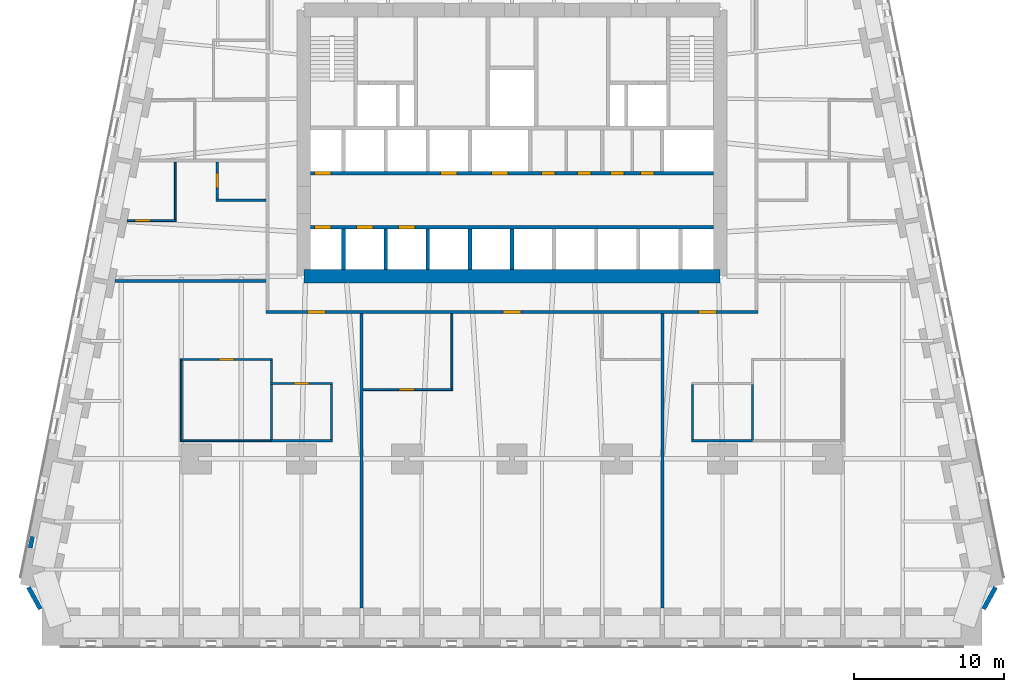
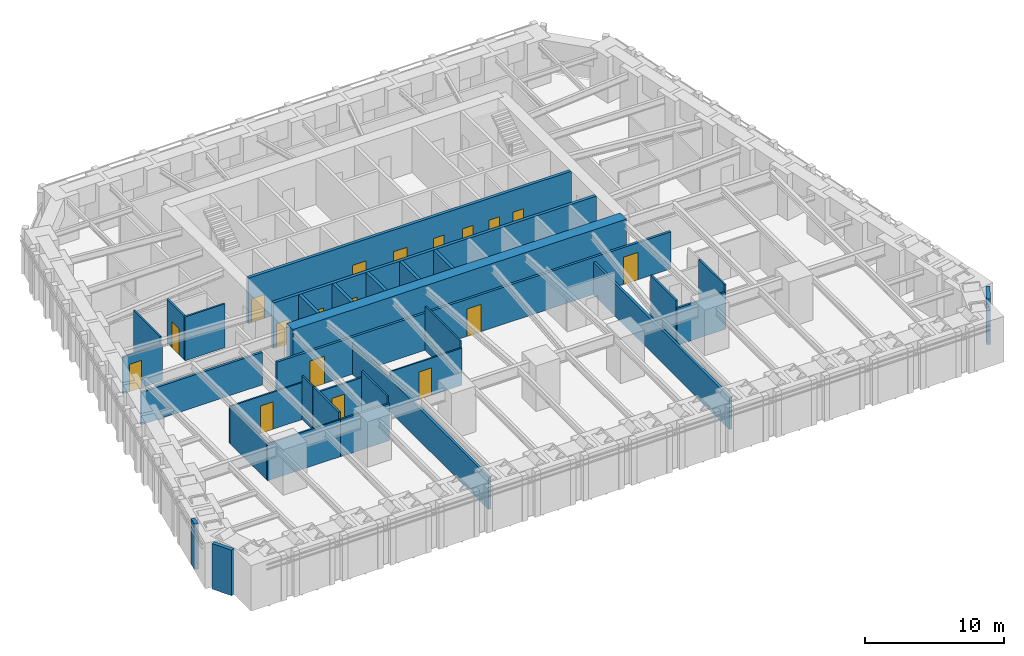
# One storey, part 12 of 16: 32 walls, 18 doors, 18 openings.
"""IFC4 building model written with IfcOpenShell, lengths in metres."""

from ifc_helpers import new_model, si_unit, direction, frame, frame_2d, origin, place, context, subcontext, project, spatial, rectangle, extrude, material, layer, layer_set, type_object, element, fill, save


model = new_model("IFC4")

# Units and contexts
model_context = context("Model", 3, precision=1e-05, world=origin(), true_north=direction((0.0, 1.0)))
body_context = subcontext(model_context, "Body", "Model", "MODEL_VIEW")
ifc_project = project(units=[si_unit("LENGTHUNIT", "METRE"), si_unit("AREAUNIT", "SQUARE_METRE"), si_unit("VOLUMEUNIT", "CUBIC_METRE"), si_unit("PLANEANGLEUNIT", "RADIAN"), si_unit("MASSUNIT", "GRAM", prefix="KILO")], contexts=[model_context])

# Site, building, storey
site_placement = place(None, origin())
site = spatial("IfcSite", under=ifc_project, at=site_placement, CompositionType="ELEMENT")
building_placement = place(site_placement, origin())
building = spatial("IfcBuilding", under=site, at=building_placement, Name="Isbrekke Arena Tower", CompositionType="ELEMENT")
storey_placement = place(building_placement, frame((0.0, 0.0, 44.0)))
storey = spatial("IfcBuildingStorey", under=building, at=storey_placement, Name="L08", CompositionType="ELEMENT", Elevation=44.0)

# Wall
ifc_material_1 = material(Name="Concrete B65 (C65/80)", Category="concrete")
ifc_layer_1 = layer(ifc_material_1, 0.89990234375)
ifc_layer_set_1 = layer_set([ifc_layer_1], Name="CW2 CORE WALL 900")
wall_type_1 = type_object("IfcWallType", Name="CW2 CORE WALL 900", PredefinedType="SHEAR", material=ifc_layer_set_1)
wall_1_placement = place(storey_placement, frame((-13.85009765625, 6.14990234375, 0.0), z_axis=(0.0, 0.0, 1.0), x_axis=(1.0, 0.0, 0.0)))
element("IfcWall", 1, at=wall_1_placement, inside=storey, type_object=wall_type_1, Name="Core wall S L08", PredefinedType="SHEAR", context=body_context, shape_type="SweptSolid", body=[
    extrude(rectangle(XDim=27.7001953125, YDim=0.89990234375, at=frame_2d((13.85009765625, 0.0))), origin(), (0.0, 0.0, 1.0), 4.0),
])

# Wall, openings, doors
ifc_material_2 = material(Name="Concrete B45 (C45/55)", Category="concrete")
ifc_layer_2 = layer(ifc_material_2, 0.25)
ifc_layer_set_2 = layer_set([ifc_layer_2], Name="CW6 SHAFT WALL 250")
wall_type_2 = type_object("IfcWallType", Name="CW6 SHAFT WALL 250", PredefinedType="SHEAR", material=ifc_layer_set_2)
wall_2_placement = place(storey_placement, frame((-13.39990234375, 9.39990234375, 0.0), z_axis=(0.0, 0.0, 1.0), x_axis=(1.0, 0.0, 0.0)))
wall_2 = element("IfcWall", 2, at=wall_2_placement, inside=storey, type_object=wall_type_2, Name="Core wall LS L08", PredefinedType="SHEAR", context=body_context, shape_type="SweptSolid", body=[
    extrude(rectangle(XDim=26.7998046875, YDim=0.25, at=frame_2d((13.39990234375, 0.0))), origin(), (0.0, 0.0, 1.0), 4.0),
])
opening_1_placement = place(wall_2_placement, frame((0.25, 0.0, 0.0)))
opening_1 = element("IfcOpeningElement", 3, at=opening_1_placement, cuts=wall_2, Name="Opening LD1", PredefinedType="OPENING", context=body_context, shape_type="SweptSolid", body=[
    extrude(rectangle(XDim=1.10009765625, YDim=2.10009765625, at=frame_2d((0.550048828125, 1.050048828125))), frame((0.0, 0.139892578125, 0.0), z_axis=(0.0, -1.0, 0.0), x_axis=(1.0, 0.0, 0.0)), (0.0, 0.0, 1.0), 0.27978515625),
])
opening_2_placement = place(wall_2_placement, frame((3.050048828125, 0.0, 0.0)))
opening_2 = element("IfcOpeningElement", 4, at=opening_2_placement, cuts=wall_2, Name="Opening LD1", PredefinedType="OPENING", context=body_context, shape_type="SweptSolid", body=[
    extrude(rectangle(XDim=1.10009765625, YDim=2.10009765625, at=frame_2d((0.550048828125, 1.050048828125))), frame((0.0, 0.139892578125, 0.0), z_axis=(0.0, -1.0, 0.0), x_axis=(1.0, 0.0, 0.0)), (0.0, 0.0, 1.0), 0.27978515625),
])
opening_3_placement = place(wall_2_placement, frame((5.85009765625, 0.0, 0.0)))
opening_3 = element("IfcOpeningElement", 5, at=opening_3_placement, cuts=wall_2, Name="Opening LD1", PredefinedType="OPENING", context=body_context, shape_type="SweptSolid", body=[
    extrude(rectangle(XDim=1.10009765625, YDim=2.10009765625, at=frame_2d((0.550048828125, 1.050048828125))), frame((0.0, 0.139892578125, 0.0), z_axis=(0.0, -1.0, 0.0), x_axis=(1.0, 0.0, 0.0)), (0.0, 0.0, 1.0), 0.27978515625),
])
ifc_material_3 = material(Name="Stainless steel lift landing door", Category="steel")
door_type_1 = type_object("IfcDoorType", Name="LD1 LIFT LANDING DOOR 1100 x 2100", OperationType="SLIDING_TO_LEFT", PredefinedType="DOOR", material=ifc_material_3)
door_1_placement = place(opening_1_placement, origin())
door_1 = element("IfcDoor", 6, at=door_1_placement, inside=storey, type_object=door_type_1, Name="LD1 lift landing door LA L08", OperationType="SLIDING_TO_LEFT", OverallHeight=2.10009765625, OverallWidth=1.10009765625, PredefinedType="DOOR", context=body_context, shape_type="SweptSolid", body=[
    extrude(rectangle(XDim=1.10009765625, YDim=2.10009765625, at=frame_2d((0.550048828125, 1.050048828125))), frame((0.0, 0.124755859375, 0.0), z_axis=(0.0, -1.0, 0.0), x_axis=(1.0, 0.0, 0.0)), (0.0, 0.0, 1.0), 0.24951171875),
])
fill(opening_1, door_1)
door_2_placement = place(opening_2_placement, origin())
door_2 = element("IfcDoor", 7, at=door_2_placement, inside=storey, type_object=door_type_1, Name="LD1 lift landing door LA L08", OperationType="SLIDING_TO_LEFT", OverallHeight=2.10009765625, OverallWidth=1.10009765625, PredefinedType="DOOR", context=body_context, shape_type="SweptSolid", body=[
    extrude(rectangle(XDim=1.10009765625, YDim=2.10009765625, at=frame_2d((0.550048828125, 1.050048828125))), frame((0.0, 0.124755859375, 0.0), z_axis=(0.0, -1.0, 0.0), x_axis=(1.0, 0.0, 0.0)), (0.0, 0.0, 1.0), 0.24951171875),
])
fill(opening_2, door_2)
door_3_placement = place(opening_3_placement, origin())
door_3 = element("IfcDoor", 8, at=door_3_placement, inside=storey, type_object=door_type_1, Name="LD1 lift landing door LA L08", OperationType="SLIDING_TO_LEFT", OverallHeight=2.10009765625, OverallWidth=1.10009765625, PredefinedType="DOOR", context=body_context, shape_type="SweptSolid", body=[
    extrude(rectangle(XDim=1.10009765625, YDim=2.10009765625, at=frame_2d((0.550048828125, 1.050048828125))), frame((0.0, 0.124755859375, 0.0), z_axis=(0.0, -1.0, 0.0), x_axis=(1.0, 0.0, 0.0)), (0.0, 0.0, 1.0), 0.24951171875),
])
fill(opening_3, door_3)

wall_3_placement = place(storey_placement, frame((-13.39990234375, 13.0, 0.0), z_axis=(0.0, 0.0, 1.0), x_axis=(1.0, 0.0, 0.0)))
wall_3 = element("IfcWall", 9, at=wall_3_placement, inside=storey, type_object=wall_type_2, Name="Core wall LN L08", PredefinedType="SHEAR", context=body_context, shape_type="SweptSolid", body=[
    extrude(rectangle(XDim=26.7998046875, YDim=0.25, at=frame_2d((13.39990234375, 0.0))), origin(), (0.0, 0.0, 1.0), 4.0),
])
opening_4_placement = place(wall_3_placement, frame((0.25, 0.0, 0.0)))
opening_4 = element("IfcOpeningElement", 10, at=opening_4_placement, cuts=wall_3, Name="Opening LD1", PredefinedType="OPENING", context=body_context, shape_type="SweptSolid", body=[
    extrude(rectangle(XDim=1.10009765625, YDim=2.10009765625, at=frame_2d((0.550048828125, 1.050048828125))), frame((0.0, 0.139892578125, 0.0), z_axis=(0.0, -1.0, 0.0), x_axis=(1.0, 0.0, 0.0)), (0.0, 0.0, 1.0), 0.27978515625),
])
opening_5_placement = place(wall_3_placement, frame((8.64990234375, 0.0, 0.0)))
opening_5 = element("IfcOpeningElement", 11, at=opening_5_placement, cuts=wall_3, Name="Opening LD1", PredefinedType="OPENING", context=body_context, shape_type="SweptSolid", body=[
    extrude(rectangle(XDim=1.10009765625, YDim=2.10009765625, at=frame_2d((0.550048828125, 1.050048828125))), frame((0.0, 0.139892578125, 0.0), z_axis=(0.0, -1.0, 0.0), x_axis=(1.0, 0.0, 0.0)), (0.0, 0.0, 1.0), 0.27978515625),
])
opening_6_placement = place(wall_3_placement, frame((12.050048828125, 0.0, 0.0)))
opening_6 = element("IfcOpeningElement", 12, at=opening_6_placement, cuts=wall_3, Name="Opening LD1", PredefinedType="OPENING", context=body_context, shape_type="SweptSolid", body=[
    extrude(rectangle(XDim=1.10009765625, YDim=2.10009765625, at=frame_2d((0.550048828125, 1.050048828125))), frame((0.0, 0.139892578125, 0.0), z_axis=(0.0, -1.0, 0.0), x_axis=(1.0, 0.0, 0.0)), (0.0, 0.0, 1.0), 0.27978515625),
])
opening_7_placement = place(wall_3_placement, frame((15.35009765625, 0.0, 0.0)))
opening_7 = element("IfcOpeningElement", 13, at=opening_7_placement, cuts=wall_3, Name="Opening D5", PredefinedType="OPENING", context=body_context, shape_type="SweptSolid", body=[
    extrude(rectangle(XDim=0.89990234375, YDim=2.10009765625, at=frame_2d((0.449951171875, 1.050048828125))), frame((0.0, 0.139892578125, 0.0), z_axis=(0.0, -1.0, 0.0), x_axis=(1.0, 0.0, 0.0)), (0.0, 0.0, 1.0), 0.27978515625),
])
opening_8_placement = place(wall_3_placement, frame((17.75, 0.0, 0.0)))
opening_8 = element("IfcOpeningElement", 14, at=opening_8_placement, cuts=wall_3, Name="Opening D5", PredefinedType="OPENING", context=body_context, shape_type="SweptSolid", body=[
    extrude(rectangle(XDim=0.89990234375, YDim=2.10009765625, at=frame_2d((0.449951171875, 1.050048828125))), frame((0.0, 0.139892578125, 0.0), z_axis=(0.0, -1.0, 0.0), x_axis=(1.0, 0.0, 0.0)), (0.0, 0.0, 1.0), 0.27978515625),
])
opening_9_placement = place(wall_3_placement, frame((19.949951171875, 0.0, 0.0)))
opening_9 = element("IfcOpeningElement", 15, at=opening_9_placement, cuts=wall_3, Name="Opening D5", PredefinedType="OPENING", context=body_context, shape_type="SweptSolid", body=[
    extrude(rectangle(XDim=0.89990234375, YDim=2.10009765625, at=frame_2d((0.449951171875, 1.050048828125))), frame((0.0, 0.139892578125, 0.0), z_axis=(0.0, -1.0, 0.0), x_axis=(1.0, 0.0, 0.0)), (0.0, 0.0, 1.0), 0.27978515625),
])
opening_10_placement = place(wall_3_placement, frame((21.949951171875, 0.0, 0.0)))
opening_10 = element("IfcOpeningElement", 16, at=opening_10_placement, cuts=wall_3, Name="Opening D5", PredefinedType="OPENING", context=body_context, shape_type="SweptSolid", body=[
    extrude(rectangle(XDim=0.89990234375, YDim=2.10009765625, at=frame_2d((0.449951171875, 1.050048828125))), frame((0.0, 0.139892578125, 0.0), z_axis=(0.0, -1.0, 0.0), x_axis=(1.0, 0.0, 0.0)), (0.0, 0.0, 1.0), 0.27978515625),
])
ifc_material_4 = material(Name="Steel fire door", Category="steel")
door_type_2 = type_object("IfcDoorType", Name="D5 SERVICE DOOR 900 x 2100", OperationType="SINGLE_SWING_LEFT", PredefinedType="DOOR", material=ifc_material_4)
door_4_placement = place(opening_7_placement, origin())
door_4 = element("IfcDoor", 17, at=door_4_placement, inside=storey, type_object=door_type_2, Name="D5 mothers' room door L08", OperationType="SINGLE_SWING_LEFT", OverallHeight=2.10009765625, OverallWidth=0.89990234375, PredefinedType="DOOR", context=body_context, shape_type="SweptSolid", body=[
    extrude(rectangle(XDim=0.89990234375, YDim=2.10009765625, at=frame_2d((0.449951171875, 1.050048828125))), frame((0.0, 0.124755859375, 0.0), z_axis=(0.0, -1.0, 0.0), x_axis=(1.0, 0.0, 0.0)), (0.0, 0.0, 1.0), 0.24951171875),
])
fill(opening_7, door_4)
door_5_placement = place(opening_8_placement, origin())
door_5 = element("IfcDoor", 18, at=door_5_placement, inside=storey, type_object=door_type_2, Name="D5 cleaner's store door L08", OperationType="SINGLE_SWING_LEFT", OverallHeight=2.10009765625, OverallWidth=0.89990234375, PredefinedType="DOOR", context=body_context, shape_type="SweptSolid", body=[
    extrude(rectangle(XDim=0.89990234375, YDim=2.10009765625, at=frame_2d((0.449951171875, 1.050048828125))), frame((0.0, 0.124755859375, 0.0), z_axis=(0.0, -1.0, 0.0), x_axis=(1.0, 0.0, 0.0)), (0.0, 0.0, 1.0), 0.24951171875),
])
fill(opening_8, door_5)
door_6_placement = place(opening_9_placement, origin())
door_6 = element("IfcDoor", 19, at=door_6_placement, inside=storey, type_object=door_type_2, Name="D5 communications room door L08", OperationType="SINGLE_SWING_LEFT", OverallHeight=2.10009765625, OverallWidth=0.89990234375, PredefinedType="DOOR", context=body_context, shape_type="SweptSolid", body=[
    extrude(rectangle(XDim=0.89990234375, YDim=2.10009765625, at=frame_2d((0.449951171875, 1.050048828125))), frame((0.0, 0.124755859375, 0.0), z_axis=(0.0, -1.0, 0.0), x_axis=(1.0, 0.0, 0.0)), (0.0, 0.0, 1.0), 0.24951171875),
])
fill(opening_9, door_6)
door_7_placement = place(opening_10_placement, origin())
door_7 = element("IfcDoor", 20, at=door_7_placement, inside=storey, type_object=door_type_2, Name="D5 tenant store door L08", OperationType="SINGLE_SWING_LEFT", OverallHeight=2.10009765625, OverallWidth=0.89990234375, PredefinedType="DOOR", context=body_context, shape_type="SweptSolid", body=[
    extrude(rectangle(XDim=0.89990234375, YDim=2.10009765625, at=frame_2d((0.449951171875, 1.050048828125))), frame((0.0, 0.124755859375, 0.0), z_axis=(0.0, -1.0, 0.0), x_axis=(1.0, 0.0, 0.0)), (0.0, 0.0, 1.0), 0.24951171875),
])
fill(opening_10, door_7)
door_8_placement = place(opening_4_placement, origin())
door_8 = element("IfcDoor", 21, at=door_8_placement, inside=storey, type_object=door_type_1, Name="LD1 lift landing door LA L08", OperationType="SLIDING_TO_LEFT", OverallHeight=2.10009765625, OverallWidth=1.10009765625, PredefinedType="DOOR", context=body_context, shape_type="SweptSolid", body=[
    extrude(rectangle(XDim=1.10009765625, YDim=2.10009765625, at=frame_2d((0.550048828125, 1.050048828125))), frame((0.0, 0.124755859375, 0.0), z_axis=(0.0, -1.0, 0.0), x_axis=(1.0, 0.0, 0.0)), (0.0, 0.0, 1.0), 0.24951171875),
])
fill(opening_4, door_8)
door_9_placement = place(opening_5_placement, origin())
door_9 = element("IfcDoor", 22, at=door_9_placement, inside=storey, type_object=door_type_1, Name="LD1 lift landing door LA L08", OperationType="SLIDING_TO_LEFT", OverallHeight=2.10009765625, OverallWidth=1.10009765625, PredefinedType="DOOR", context=body_context, shape_type="SweptSolid", body=[
    extrude(rectangle(XDim=1.10009765625, YDim=2.10009765625, at=frame_2d((0.550048828125, 1.050048828125))), frame((0.0, 0.124755859375, 0.0), z_axis=(0.0, -1.0, 0.0), x_axis=(1.0, 0.0, 0.0)), (0.0, 0.0, 1.0), 0.24951171875),
])
fill(opening_5, door_9)
door_10_placement = place(opening_6_placement, origin())
door_10 = element("IfcDoor", 23, at=door_10_placement, inside=storey, type_object=door_type_1, Name="LD1 lift landing door LA L08", OperationType="SLIDING_TO_LEFT", OverallHeight=2.10009765625, OverallWidth=1.10009765625, PredefinedType="DOOR", context=body_context, shape_type="SweptSolid", body=[
    extrude(rectangle(XDim=1.10009765625, YDim=2.10009765625, at=frame_2d((0.550048828125, 1.050048828125))), frame((0.0, 0.124755859375, 0.0), z_axis=(0.0, -1.0, 0.0), x_axis=(1.0, 0.0, 0.0)), (0.0, 0.0, 1.0), 0.24951171875),
])
fill(opening_6, door_10)

# Walls
for number, where, z_axis, x_axis, name in (
    (24, (-11.199951171875, 6.60009765625, 0.0), (0.0, 0.0, 1.0), (0.0, 1.0, 0.0), "Core wall SS01 L08"),
    (25, (-8.39990234375, 6.60009765625, 0.0), (0.0, 0.0, 1.0), (0.0, 1.0, 0.0), "Core wall SS02 L08"),
    (26, (-5.60009765625, 6.60009765625, 0.0), (0.0, 0.0, 1.0), (0.0, 1.0, 0.0), "Core wall SS03 L08"),
    (27, (-2.800048828125, 6.60009765625, 0.0), (0.0, 0.0, 1.0), (0.0, 1.0, 0.0), "Core wall SS04 L08"),
    (28, (0.0, 6.60009765625, 0.0), (0.0, 0.0, 1.0), (0.0, 1.0, 0.0), "Core wall SS05 L08"),
):
    element("IfcWall", number, at=place(storey_placement, frame(where, z_axis=z_axis, x_axis=x_axis)), inside=storey, type_object=wall_type_2, Name=name, PredefinedType="SHEAR", context=body_context, shape_type="SweptSolid", body=[
        extrude(rectangle(XDim=2.6748046875, YDim=0.25, at=frame_2d((1.33740234375, 0.0))), origin(), (0.0, 0.0, 1.0), 4.0),
    ])
ifc_material_5 = material(Name="Insulated aluminium panel on steel framing", Category="steel")
ifc_layer_3 = layer(ifc_material_5, 0.300048828125)
ifc_layer_set_3 = layer_set([ifc_layer_3], Name="EW4 INSULATED PANEL WALL 300")
wall_type_3 = type_object("IfcWallType", Name="EW4 INSULATED PANEL WALL 300", PredefinedType="SOLIDWALL", material=ifc_layer_set_3)
wall_4_placement = place(storey_placement, frame((31.36328125, -15.98828125, 0.0), z_axis=(0.0, 0.0, 1.0), x_axis=(0.481879089964, 0.876237720402, 0.0)))
element("IfcWall", 29, at=wall_4_placement, inside=storey, type_object=wall_type_3, Name="EW4 corner closure panel L08-SE", PredefinedType="SOLIDWALL", context=body_context, shape_type="SweptSolid", body=[
    extrude(rectangle(XDim=1.654296875, YDim=0.300048828125, at=frame_2d((0.8271484375, 0.0))), origin(), (0.0, 0.0, 1.0), 4.0),
])
wall_5_placement = place(storey_placement, frame((-31.890380859375, -11.1767578125, 0.0), z_axis=(0.0, 0.0, 1.0), x_axis=(-0.195867092459, -0.980630451338, 0.0)))
element("IfcWall", 30, at=wall_5_placement, inside=storey, type_object=wall_type_3, Name="EW4 closure panel L08-W 1", PredefinedType="SOLIDWALL", context=body_context, shape_type="SweptSolid", body=[
    extrude(rectangle(XDim=0.754150390625, YDim=0.300048828125, at=frame_2d((0.376953125, 0.0))), origin(), (0.0, 0.0, 1.0), 4.0),
])
wall_6_placement = place(storey_placement, frame((-32.160400390625, -14.538818359375, 0.0), z_axis=(0.0, 0.0, 1.0), x_axis=(0.481879089964, -0.876237720402, 0.0)))
element("IfcWall", 31, at=wall_6_placement, inside=storey, type_object=wall_type_3, Name="EW4 corner closure panel L08-WS", PredefinedType="SOLIDWALL", context=body_context, shape_type="SweptSolid", body=[
    extrude(rectangle(XDim=1.654296875, YDim=0.300048828125, at=frame_2d((0.8271484375, 0.0))), origin(), (0.0, 0.0, 1.0), 4.0),
])
ifc_material_6 = material(Name="Gypsum board partition on steel studs", Category="steel")
ifc_layer_4 = layer(ifc_material_6, 0.14990234375)
ifc_layer_set_4 = layer_set([ifc_layer_4], Name="IW1 PARTITION 150")
wall_type_4 = type_object("IfcWallType", Name="IW1 PARTITION 150", PredefinedType="PARTITIONING", material=ifc_layer_set_4)
for number, where, z_axis, x_axis, name in (
    (32, (-16.0, -4.800048828125, 0.0), (0.0, 0.0, 1.0), (1.0, 0.0, 0.0), "IW1 partition 150 L08"),
    (33, (11.925048828125, -4.800048828125, 0.0), (0.0, 0.0, 1.0), (1.0, 0.0, 0.0), "IW1 partition 150 L08"),
):
    element("IfcWall", number, at=place(storey_placement, frame(where, z_axis=z_axis, x_axis=x_axis)), inside=storey, type_object=wall_type_4, Name=name, PredefinedType="PARTITIONING", context=body_context, shape_type="SweptSolid", body=[
        extrude(rectangle(XDim=4.074951171875, YDim=0.14990234375, at=frame_2d((2.03759765625, 0.0))), origin(), (0.0, 0.0, 1.0), 3.25),
    ])

# Wall, opening, door
wall_7_placement = place(storey_placement, frame((-16.06005859375, -1.0, 0.0), z_axis=(0.0, 0.0, 1.0), x_axis=(1.0, 0.0, 0.0)))
wall_7 = element("IfcWall", 34, at=wall_7_placement, inside=storey, type_object=wall_type_4, Name="IW1 partition 150 L08", PredefinedType="PARTITIONING", context=body_context, shape_type="SweptSolid", body=[
    extrude(rectangle(XDim=4.135009765625, YDim=0.14990234375, at=frame_2d((2.0673828125, 0.0))), origin(), (0.0, 0.0, 1.0), 3.25),
])
opening_11_placement = place(wall_7_placement, frame((1.56005859375, 0.0, 0.0)))
opening_11 = element("IfcOpeningElement", 35, at=opening_11_placement, cuts=wall_7, Name="Opening D10", PredefinedType="OPENING", context=body_context, shape_type="SweptSolid", body=[
    extrude(rectangle(XDim=1.0, YDim=2.300048828125, at=frame_2d((0.5, 1.14990234375))), frame((0.0, 0.08984375, 0.0), z_axis=(0.0, -1.0, 0.0), x_axis=(1.0, 0.0, 0.0)), (0.0, 0.0, 1.0), 0.1796875),
])
ifc_material_7 = material(Name="Timber door", Category="wood")
door_type_3 = type_object("IfcDoorType", Name="D10 OFFICE DOOR 1000 x 2300", OperationType="SINGLE_SWING_LEFT", PredefinedType="DOOR", material=ifc_material_7)
door_11_placement = place(opening_11_placement, origin())
door_11 = element("IfcDoor", 36, at=door_11_placement, inside=storey, type_object=door_type_3, Name="D10 tea point door L08", OperationType="SINGLE_SWING_LEFT", OverallHeight=2.300048828125, OverallWidth=1.0, PredefinedType="DOOR", context=body_context, shape_type="SweptSolid", body=[
    extrude(rectangle(XDim=1.0, YDim=2.300048828125, at=frame_2d((0.5, 1.14990234375))), frame((0.0, 0.07470703125, 0.0), z_axis=(0.0, -1.0, 0.0), x_axis=(1.0, 0.0, 0.0)), (0.0, 0.0, 1.0), 0.1494140625),
])
fill(opening_11, door_11)

# Wall
wall_8_placement = place(storey_placement, frame((-19.675048828125, 11.199951171875, 0.0), z_axis=(0.0, 0.0, 1.0), x_axis=(1.0, 0.0, 0.0)))
element("IfcWall", 37, at=wall_8_placement, inside=storey, type_object=wall_type_4, Name="IW1 partition 150 L08", PredefinedType="PARTITIONING", context=body_context, shape_type="SweptSolid", body=[
    extrude(rectangle(XDim=3.324951171875, YDim=0.14990234375, at=frame_2d((1.66259765625, 0.0))), origin(), (0.0, 0.0, 1.0), 3.85009765625),
])

# Wall, opening, door
wall_9_placement = place(storey_placement, frame((-19.60009765625, 11.27490234375, 0.0), z_axis=(0.0, 0.0, 1.0), x_axis=(0.0, 1.0, 0.0)))
wall_9 = element("IfcWall", 38, at=wall_9_placement, inside=storey, type_object=wall_type_4, Name="IW1 partition 150 L08", PredefinedType="PARTITIONING", context=body_context, shape_type="SweptSolid", body=[
    extrude(rectangle(XDim=2.465087890625, YDim=0.14990234375, at=frame_2d((1.232421875, 0.0))), origin(), (0.0, 0.0, 1.0), 3.85009765625),
])
opening_12_placement = place(wall_9_placement, frame((0.7451171875, 0.0, 0.0)))
opening_12 = element("IfcOpeningElement", 39, at=opening_12_placement, cuts=wall_9, Name="Opening D10", PredefinedType="OPENING", context=body_context, shape_type="SweptSolid", body=[
    extrude(rectangle(XDim=1.0, YDim=2.300048828125, at=frame_2d((0.5, 1.14990234375))), frame((0.0, 0.08984375, 0.0), z_axis=(0.0, -1.0, 0.0), x_axis=(1.0, 0.0, 0.0)), (0.0, 0.0, 1.0), 0.1796875),
])
door_12_placement = place(opening_12_placement, origin())
door_12 = element("IfcDoor", 40, at=door_12_placement, inside=storey, type_object=door_type_3, Name="D10 tea point door L08", OperationType="SINGLE_SWING_LEFT", OverallHeight=2.300048828125, OverallWidth=1.0, PredefinedType="DOOR", context=body_context, shape_type="SweptSolid", body=[
    extrude(rectangle(XDim=1.0, YDim=2.300048828125, at=frame_2d((0.5, 1.14990234375))), frame((0.0, 0.07470703125, 0.0), z_axis=(0.0, -1.0, 0.0), x_axis=(1.0, 0.0, 0.0)), (0.0, 0.0, 1.0), 0.1494140625),
])
fill(opening_12, door_12)

# Walls
for number, where, z_axis, x_axis, name in (
    (41, (-16.0, -4.72509765625, 0.0), (0.0, 0.0, 1.0), (0.0, 1.0, 0.0), "IW1 partition 150 L08"),
    (42, (-12.0, -4.72509765625, 0.0), (0.0, 0.0, 1.0), (0.0, 1.0, 0.0), "IW1 partition 150 L08"),
    (43, (12.0, -4.72509765625, 0.0), (0.0, 0.0, 1.0), (0.0, 1.0, 0.0), "IW1 partition 150 L08"),
    (44, (16.0, -4.72509765625, 0.0), (0.0, 0.0, 1.0), (0.0, 1.0, 0.0), "IW1 partition 150 L08"),
):
    element("IfcWall", number, at=place(storey_placement, frame(where, z_axis=z_axis, x_axis=x_axis)), inside=storey, type_object=wall_type_4, Name=name, PredefinedType="PARTITIONING", context=body_context, shape_type="SweptSolid", body=[
        extrude(rectangle(XDim=3.650146484375, YDim=0.14990234375, at=frame_2d((1.8251953125, 0.0))), origin(), (0.0, 0.0, 1.0), 3.85009765625),
    ])
ifc_material_8 = material(Name="Frameless glazed partition, laminated acoustic glass", Category="glass")
ifc_layer_5 = layer(ifc_material_8, 0.1201171875)
ifc_layer_set_5 = layer_set([ifc_layer_5], Name="IW2 GLAZED PARTITION 120")
wall_type_5 = type_object("IfcWallType", Name="IW2 GLAZED PARTITION 120", PredefinedType="PARTITIONING", material=ifc_layer_set_5)
wall_10_placement = place(storey_placement, frame((-22.06005859375, -4.800048828125, 0.0), z_axis=(0.0, 0.0, 1.0), x_axis=(1.0, 0.0, 0.0)))
element("IfcWall", 45, at=wall_10_placement, inside=storey, type_object=wall_type_5, Name="IW2 glazed partition 120 L08", PredefinedType="PARTITIONING", context=body_context, shape_type="SweptSolid", body=[
    extrude(rectangle(XDim=6.06005859375, YDim=0.1201171875, at=frame_2d((3.030029296875, 0.0))), origin(), (0.0, 0.0, 1.0), 3.25),
])

# Wall, opening, door
wall_11_placement = place(storey_placement, frame((-9.89990234375, -1.39990234375, 0.0), z_axis=(0.0, 0.0, 1.0), x_axis=(1.0, 0.0, 0.0)))
wall_11 = element("IfcWall", 46, at=wall_11_placement, inside=storey, type_object=wall_type_5, Name="IW2 glazed partition 120 L08", PredefinedType="PARTITIONING", context=body_context, shape_type="SweptSolid", body=[
    extrude(rectangle(XDim=5.9599609375, YDim=0.1201171875, at=frame_2d((2.97998046875, 0.0))), origin(), (0.0, 0.0, 1.0), 3.25),
])
opening_13_placement = place(wall_11_placement, frame((2.39990234375, 0.0, 0.0)))
opening_13 = element("IfcOpeningElement", 47, at=opening_13_placement, cuts=wall_11, Name="Opening D11", PredefinedType="OPENING", context=body_context, shape_type="SweptSolid", body=[
    extrude(rectangle(XDim=1.0, YDim=2.39990234375, at=frame_2d((0.5, 1.199951171875))), frame((0.0, 0.074951171875, 0.0), z_axis=(0.0, -1.0, 0.0), x_axis=(1.0, 0.0, 0.0)), (0.0, 0.0, 1.0), 0.14990234375),
])
ifc_material_9 = material(Name="Frameless glazed door", Category="glass")
door_type_4 = type_object("IfcDoorType", Name="D11 GLAZED MEETING ROOM DOOR 1000 x 2400", OperationType="SINGLE_SWING_RIGHT", PredefinedType="DOOR", material=ifc_material_9)
door_13_placement = place(opening_13_placement, origin())
door_13 = element("IfcDoor", 48, at=door_13_placement, inside=storey, type_object=door_type_4, Name="D11 meeting room door L08", OperationType="SINGLE_SWING_RIGHT", OverallHeight=2.39990234375, OverallWidth=1.0, PredefinedType="DOOR", context=body_context, shape_type="SweptSolid", body=[
    extrude(rectangle(XDim=1.0, YDim=2.39990234375, at=frame_2d((0.5, 1.199951171875))), frame((0.0, 0.059814453125, 0.0), z_axis=(0.0, -1.0, 0.0), x_axis=(1.0, 0.0, 0.0)), (0.0, 0.0, 1.0), 0.11962890625),
])
fill(opening_13, door_13)

wall_12_placement = place(storey_placement, frame((-22.06005859375, 0.60009765625, 0.0), z_axis=(0.0, 0.0, 1.0), x_axis=(1.0, 0.0, 0.0)))
wall_12 = element("IfcWall", 49, at=wall_12_placement, inside=storey, type_object=wall_type_5, Name="IW2 glazed partition 120 L08", PredefinedType="PARTITIONING", context=body_context, shape_type="SweptSolid", body=[
    extrude(rectangle(XDim=6.1201171875, YDim=0.1201171875, at=frame_2d((3.06005859375, 0.0))), origin(), (0.0, 0.0, 1.0), 3.25),
])
opening_14_placement = place(wall_12_placement, frame((2.56005859375, 0.0, 0.0)))
opening_14 = element("IfcOpeningElement", 50, at=opening_14_placement, cuts=wall_12, Name="Opening D11", PredefinedType="OPENING", context=body_context, shape_type="SweptSolid", body=[
    extrude(rectangle(XDim=1.0, YDim=2.39990234375, at=frame_2d((0.5, 1.199951171875))), frame((0.0, 0.074951171875, 0.0), z_axis=(0.0, -1.0, 0.0), x_axis=(1.0, 0.0, 0.0)), (0.0, 0.0, 1.0), 0.14990234375),
])
door_14_placement = place(opening_14_placement, origin())
door_14 = element("IfcDoor", 51, at=door_14_placement, inside=storey, type_object=door_type_4, Name="D11 meeting room door L08", OperationType="SINGLE_SWING_RIGHT", OverallHeight=2.39990234375, OverallWidth=1.0, PredefinedType="DOOR", context=body_context, shape_type="SweptSolid", body=[
    extrude(rectangle(XDim=1.0, YDim=2.39990234375, at=frame_2d((0.5, 1.199951171875))), frame((0.0, 0.059814453125, 0.0), z_axis=(0.0, -1.0, 0.0), x_axis=(1.0, 0.0, 0.0)), (0.0, 0.0, 1.0), 0.11962890625),
])
fill(opening_14, door_14)

wall_13_placement = place(storey_placement, frame((-25.596435546875, 9.840087890625, 0.0), z_axis=(0.0, 0.0, 1.0), x_axis=(1.0, 0.0, 0.0)))
wall_13 = element("IfcWall", 52, at=wall_13_placement, inside=storey, type_object=wall_type_5, Name="IW2 glazed partition 120 L08", PredefinedType="PARTITIONING", context=body_context, shape_type="SweptSolid", body=[
    extrude(rectangle(XDim=3.25634765625, YDim=0.1201171875, at=frame_2d((1.628173828125, 0.0))), origin(), (0.0, 0.0, 1.0), 3.25),
])
opening_15_placement = place(wall_13_placement, frame((0.537353515625, 0.0, 0.0)))
opening_15 = element("IfcOpeningElement", 53, at=opening_15_placement, cuts=wall_13, Name="Opening D11", PredefinedType="OPENING", context=body_context, shape_type="SweptSolid", body=[
    extrude(rectangle(XDim=1.0, YDim=2.39990234375, at=frame_2d((0.5, 1.199951171875))), frame((0.0, 0.074951171875, 0.0), z_axis=(0.0, -1.0, 0.0), x_axis=(1.0, 0.0, 0.0)), (0.0, 0.0, 1.0), 0.14990234375),
])
door_15_placement = place(opening_15_placement, origin())
door_15 = element("IfcDoor", 54, at=door_15_placement, inside=storey, type_object=door_type_4, Name="D11 meeting room door L08", OperationType="SINGLE_SWING_RIGHT", OverallHeight=2.39990234375, OverallWidth=1.0, PredefinedType="DOOR", context=body_context, shape_type="SweptSolid", body=[
    extrude(rectangle(XDim=1.0, YDim=2.39990234375, at=frame_2d((0.5, 1.199951171875))), frame((0.0, 0.059814453125, 0.0), z_axis=(0.0, -1.0, 0.0), x_axis=(1.0, 0.0, 0.0)), (0.0, 0.0, 1.0), 0.11962890625),
])
fill(opening_15, door_15)

# Walls
wall_14_placement = place(storey_placement, frame((-22.39990234375, 9.89990234375, 0.0), z_axis=(0.0, 0.0, 1.0), x_axis=(0.0, 1.0, 0.0)))
element("IfcWall", 55, at=wall_14_placement, inside=storey, type_object=wall_type_5, Name="IW2 glazed partition 120 L08", PredefinedType="PARTITIONING", context=body_context, shape_type="SweptSolid", body=[
    extrude(rectangle(XDim=3.840087890625, YDim=0.1201171875, at=frame_2d((1.919921875, 0.0))), origin(), (0.0, 0.0, 1.0), 3.85009765625),
])
wall_15_placement = place(storey_placement, frame((-22.0, -4.739990234375, 0.0), z_axis=(0.0, 0.0, 1.0), x_axis=(0.0, 1.0, 0.0)))
element("IfcWall", 56, at=wall_15_placement, inside=storey, type_object=wall_type_5, Name="IW2 glazed partition 120 L08", PredefinedType="PARTITIONING", context=body_context, shape_type="SweptSolid", body=[
    extrude(rectangle(XDim=5.280029296875, YDim=0.1201171875, at=frame_2d((2.64013671875, 0.0))), origin(), (0.0, 0.0, 1.0), 3.25),
])
wall_16_placement = place(storey_placement, frame((-16.0, -0.925048828125, 0.0), z_axis=(0.0, 0.0, 1.0), x_axis=(0.0, 1.0, 0.0)))
element("IfcWall", 57, at=wall_16_placement, inside=storey, type_object=wall_type_5, Name="IW2 glazed partition 120 L08", PredefinedType="PARTITIONING", context=body_context, shape_type="SweptSolid", body=[
    extrude(rectangle(XDim=1.465087890625, YDim=0.1201171875, at=frame_2d((0.732421875, 0.0))), origin(), (0.0, 0.0, 1.0), 3.85009765625),
])
wall_17_placement = place(storey_placement, frame((-4.0, -1.340087890625, 0.0), z_axis=(0.0, 0.0, 1.0), x_axis=(0.0, 1.0, 0.0)))
element("IfcWall", 58, at=wall_17_placement, inside=storey, type_object=wall_type_5, Name="IW2 glazed partition 120 L08", PredefinedType="PARTITIONING", context=body_context, shape_type="SweptSolid", body=[
    extrude(rectangle(XDim=4.989990234375, YDim=0.1201171875, at=frame_2d((2.4951171875, 0.0))), origin(), (0.0, 0.0, 1.0), 3.85009765625),
])

# Wall, openings, doors
ifc_material_10 = material(Name="Gypsum board fire-cell wall on steel studs, two layers each side", Category="steel")
ifc_layer_6 = layer(ifc_material_10, 0.199951171875)
ifc_layer_set_6 = layer_set([ifc_layer_6], Name="IW3 FIRE-CELL WALL 200")
wall_type_6 = type_object("IfcWallType", Name="IW3 FIRE-CELL WALL 200", PredefinedType="PARTITIONING", material=ifc_layer_set_6)
wall_18_placement = place(storey_placement, frame((-16.35009765625, 3.75, 0.0), z_axis=(0.0, 0.0, 1.0), x_axis=(1.0, 0.0, 0.0)))
wall_18 = element("IfcWall", 59, at=wall_18_placement, inside=storey, type_object=wall_type_6, Name="IW3 fire-cell wall 200 L08", PredefinedType="PARTITIONING", context=body_context, shape_type="SweptSolid", body=[
    extrude(rectangle(XDim=32.7001953125, YDim=0.199951171875, at=frame_2d((16.35009765625, 0.0))), origin(), (0.0, 0.0, 1.0), 3.25),
])
opening_16_placement = place(wall_18_placement, frame((15.75, 0.0, 0.0)))
opening_16 = element("IfcOpeningElement", 60, at=opening_16_placement, cuts=wall_18, Name="Opening D12", PredefinedType="OPENING", context=body_context, shape_type="SweptSolid", body=[
    extrude(rectangle(XDim=1.199951171875, YDim=2.39990234375, at=frame_2d((0.60009765625, 1.199951171875))), frame((0.0, 0.11474609375, 0.0), z_axis=(0.0, -1.0, 0.0), x_axis=(1.0, 0.0, 0.0)), (0.0, 0.0, 1.0), 0.229736328125),
])
opening_17_placement = place(wall_18_placement, frame((2.75, 0.0, 0.0)))
opening_17 = element("IfcOpeningElement", 61, at=opening_17_placement, cuts=wall_18, Name="Opening D12", PredefinedType="OPENING", context=body_context, shape_type="SweptSolid", body=[
    extrude(rectangle(XDim=1.199951171875, YDim=2.39990234375, at=frame_2d((0.60009765625, 1.199951171875))), frame((0.0, 0.11474609375, 0.0), z_axis=(0.0, -1.0, 0.0), x_axis=(1.0, 0.0, 0.0)), (0.0, 0.0, 1.0), 0.229736328125),
])
opening_18_placement = place(wall_18_placement, frame((28.75, 0.0, 0.0)))
opening_18 = element("IfcOpeningElement", 62, at=opening_18_placement, cuts=wall_18, Name="Opening D12", PredefinedType="OPENING", context=body_context, shape_type="SweptSolid", body=[
    extrude(rectangle(XDim=1.199951171875, YDim=2.39990234375, at=frame_2d((0.60009765625, 1.199951171875))), frame((0.0, 0.11474609375, 0.0), z_axis=(0.0, -1.0, 0.0), x_axis=(1.0, 0.0, 0.0)), (0.0, 0.0, 1.0), 0.229736328125),
])
ifc_material_11 = material(Name="Timber fire door with vision panel", Category="wood")
door_type_5 = type_object("IfcDoorType", Name="D12 SUITE ENTRANCE DOOR 1200 x 2400", OperationType="SINGLE_SWING_LEFT", PredefinedType="DOOR", material=ifc_material_11)
door_16_placement = place(opening_16_placement, origin())
door_16 = element("IfcDoor", 63, at=door_16_placement, inside=storey, type_object=door_type_5, Name="D12 suite entrance S door L08", OperationType="SINGLE_SWING_LEFT", OverallHeight=2.39990234375, OverallWidth=1.199951171875, PredefinedType="DOOR", context=body_context, shape_type="SweptSolid", body=[
    extrude(rectangle(XDim=1.199951171875, YDim=2.39990234375, at=frame_2d((0.60009765625, 1.199951171875))), frame((0.0, 0.099609375, 0.0), z_axis=(0.0, -1.0, 0.0), x_axis=(1.0, 0.0, 0.0)), (0.0, 0.0, 1.0), 0.199462890625),
])
fill(opening_16, door_16)
door_17_placement = place(opening_17_placement, origin())
door_17 = element("IfcDoor", 64, at=door_17_placement, inside=storey, type_object=door_type_5, Name="D12 suite entrance SW door L08", OperationType="SINGLE_SWING_LEFT", OverallHeight=2.39990234375, OverallWidth=1.199951171875, PredefinedType="DOOR", context=body_context, shape_type="SweptSolid", body=[
    extrude(rectangle(XDim=1.199951171875, YDim=2.39990234375, at=frame_2d((0.60009765625, 1.199951171875))), frame((0.0, 0.099609375, 0.0), z_axis=(0.0, -1.0, 0.0), x_axis=(1.0, 0.0, 0.0)), (0.0, 0.0, 1.0), 0.199462890625),
])
fill(opening_17, door_17)
door_18_placement = place(opening_18_placement, origin())
door_18 = element("IfcDoor", 65, at=door_18_placement, inside=storey, type_object=door_type_5, Name="D12 suite entrance SE door L08", OperationType="SINGLE_SWING_LEFT", OverallHeight=2.39990234375, OverallWidth=1.199951171875, PredefinedType="DOOR", context=body_context, shape_type="SweptSolid", body=[
    extrude(rectangle(XDim=1.199951171875, YDim=2.39990234375, at=frame_2d((0.60009765625, 1.199951171875))), frame((0.0, 0.099609375, 0.0), z_axis=(0.0, -1.0, 0.0), x_axis=(1.0, 0.0, 0.0)), (0.0, 0.0, 1.0), 0.199462890625),
])
fill(opening_18, door_18)

# Walls
wall_19_placement = place(storey_placement, frame((-26.396484375, 5.840087890625, 0.0), z_axis=(0.0, 0.0, 1.0), x_axis=(1.0, 0.0, 0.0)))
element("IfcWall", 66, at=wall_19_placement, inside=storey, type_object=wall_type_6, Name="IW3 fire-cell wall 200 L08", PredefinedType="PARTITIONING", context=body_context, shape_type="SweptSolid", body=[
    extrude(rectangle(XDim=10.04638671875, YDim=0.199951171875, at=frame_2d((5.023193359375, 0.0))), origin(), (0.0, 0.0, 1.0), 2.842041015625),
])
for number, where, z_axis, x_axis, name in (
    (67, (-10.0, -15.925048828125, 0.0), (0.0, 0.0, 1.0), (0.0, 1.0, 0.0), "IW3 fire-cell wall 200 L08"),
    (68, (10.0, -15.925048828125, 0.0), (0.0, 0.0, 1.0), (0.0, 1.0, 0.0), "IW3 fire-cell wall 200 L08"),
):
    element("IfcWall", number, at=place(storey_placement, frame(where, z_axis=z_axis, x_axis=x_axis)), inside=storey, type_object=wall_type_6, Name=name, PredefinedType="PARTITIONING", context=body_context, shape_type="SweptSolid", body=[
        extrude(rectangle(XDim=19.574951171875, YDim=0.199951171875, at=frame_2d((9.78759765625, 0.0))), origin(), (0.0, 0.0, 1.0), 2.842041015625),
    ])

save(model, "model.ifc")
